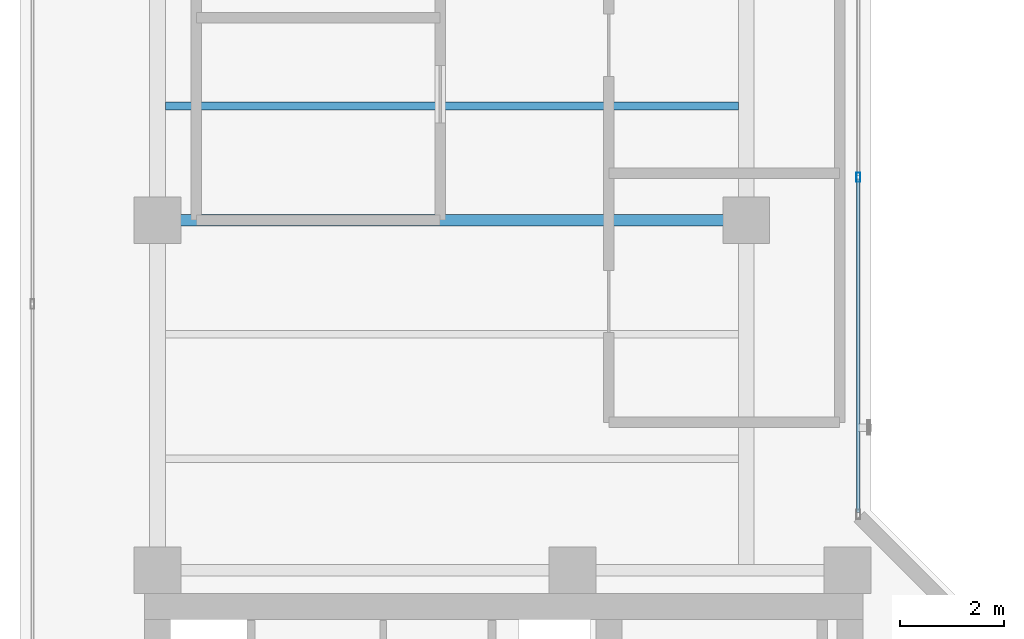
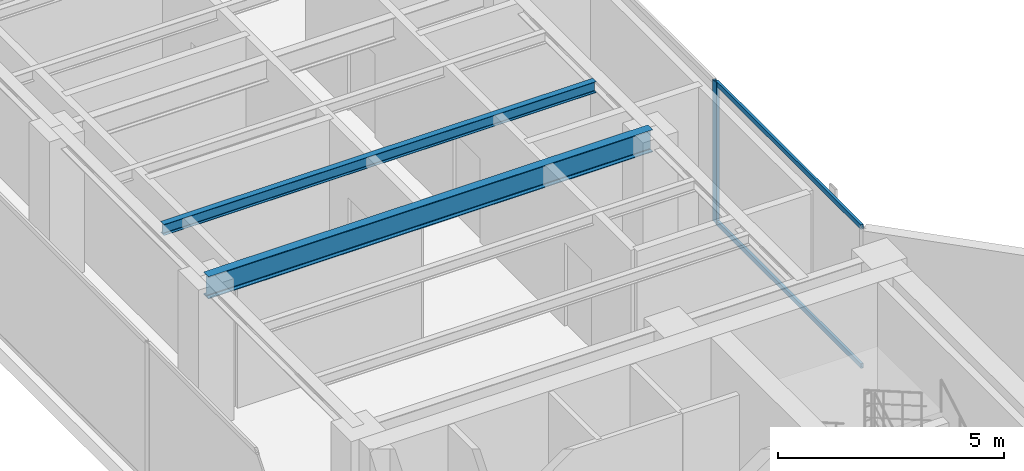
# One storey, part 11 of 24: 3 members, 2 beams, 1 element without a shape of its own.
"""IFC4 building model written with IfcOpenShell, lengths in metres."""

from ifc_helpers import new_model, si_unit, direction, frame, origin, origin_with_axes, origin_2d, place, context, subcontext, project, spatial, hollow_rectangle, i_section, extrude, source, transform, mapped, material, layer, layer_set, material_profile, profile_set, type_object, element, aggregate, save


model = new_model("IFC4")

# Units and contexts
model_context = context("Model", 3, precision=1e-05, world=origin(), true_north=direction((0.0, 1.0)))
body_context = subcontext(model_context, "Body", "Model", "MODEL_VIEW")
ifc_project = project(units=[si_unit("LENGTHUNIT", "METRE"), si_unit("AREAUNIT", "SQUARE_METRE"), si_unit("VOLUMEUNIT", "CUBIC_METRE"), si_unit("PLANEANGLEUNIT", "RADIAN"), si_unit("MASSUNIT", "GRAM", prefix="KILO")], contexts=[model_context])

# Site, building, storey
site_placement = place(None, origin())
site = spatial("IfcSite", under=ifc_project, at=site_placement, CompositionType="ELEMENT")
building_placement = place(site_placement, origin())
building = spatial("IfcBuilding", under=site, at=building_placement, Name="Kolvaren Waterfront Exchange", CompositionType="ELEMENT")
storey_placement = place(building_placement, frame((0.0, 0.0, 356.199951171875)))
storey = spatial("IfcBuildingStorey", under=building, at=storey_placement, Name="L91", CompositionType="ELEMENT", Elevation=356.199951171875)

# Beams
ifc_material_1 = material(Name="Steel S355", Category="steel")
ifc_material_profile_1 = material_profile(ifc_material_1, i_section(OverallWidth=0.14990234375, OverallDepth=0.300048828125, WebThickness=0.007080078125, FlangeThickness=0.0107421875, FilletRadius=0.014892578125, at=origin_2d()), Name="IPE300")
ifc_profile_set_1 = profile_set([ifc_material_profile_1], Name="Steel S355")
beam_type_1 = type_object("IfcBeamType", Name="STR-BM-IPE300", PredefinedType="JOIST", material=ifc_profile_set_1)
beam_1_placement = place(storey_placement, frame((7.60205078125, 33.39990234375, 3.670166015625), z_axis=(1.0, 0.0, 0.0), x_axis=(0.0, 1.0, 0.0)))
element("IfcBeam", 1, at=beam_1_placement, inside=storey, type_object=beam_type_1, Name="L91 north-arm composite joist 3", PredefinedType="JOIST", context=body_context, shape_type="SweptSolid", body=[
    extrude(i_section(OverallWidth=0.14990234375, OverallDepth=0.300048828125, WebThickness=0.007080078125, FlangeThickness=0.0107421875, FilletRadius=0.014892578125, at=origin_2d()), origin(), (0.0, 0.0, 1.0), 11.0458984375),
])
ifc_material_profile_2 = material_profile(ifc_material_1, i_section(OverallWidth=0.219970703125, OverallDepth=0.60009765625, WebThickness=0.011962890625, FlangeThickness=0.01904296875, FilletRadius=0.02392578125, at=origin_2d()), Name="IPE600")
ifc_profile_set_2 = profile_set([ifc_material_profile_2], Name="Steel S355")
beam_type_2 = type_object("IfcBeamType", Name="STR-BM-IPE600", PredefinedType="BEAM", material=ifc_profile_set_2)
beam_2_placement = place(storey_placement, frame((7.449951171875, 31.199951171875, 3.52001953125), z_axis=(1.0, 0.0, 0.0), x_axis=(0.0, 1.0, 0.0)))
element("IfcBeam", 2, at=beam_2_placement, inside=storey, type_object=beam_type_2, Name="L91 north-arm girder 2", PredefinedType="BEAM", context=body_context, shape_type="SweptSolid", body=[
    extrude(i_section(OverallWidth=0.219970703125, OverallDepth=0.60009765625, WebThickness=0.011962890625, FlangeThickness=0.01904296875, FilletRadius=0.02392578125, at=origin_2d()), origin(), (0.0, 0.0, 1.0), 11.35009765625),
])

# Curtain wall, members
ifc_material_2 = material(Name="Anodised dark bronze spandrel aluminium", Category="aluminium")
ifc_layer = layer(ifc_material_2, 0.219970703125, Name="Anodised dark bronze spandrel aluminium")
ifc_layer_set = layer_set([ifc_layer], Name="Anodised dark bronze spandrel aluminium")
curtain_wall_type = type_object("IfcCurtainWallType", Name="ARC-CW-SYS6", PredefinedType="USERDEFINED", material=ifc_layer_set)
curtain_wall_placement = place(storey_placement, origin())
curtain_wall = element("IfcCurtainWall", 3, at=curtain_wall_placement, inside=storey, type_object=curtain_wall_type, Name="L91 stick curtain wall CW6 (CW-L91-NE)", ObjectType="STICK CURTAIN WALL", PredefinedType="USERDEFINED")
ifc_material_3 = material(Name="Anodised bronze aluminium 6063-T6", Category="aluminium")
ifc_material_profile_3 = material_profile(ifc_material_3, hollow_rectangle(XDim=0.074951171875, YDim=0.179931640625, WallThickness=0.00439453125, at=origin_2d()), Name="ALU-MUL-180x75x4.5")
ifc_profile_set_3 = profile_set([ifc_material_profile_3], Name="Anodised bronze aluminium 6063-T6")
member_type_1 = type_object("IfcMemberType", Name="ARC-CWM-180", PredefinedType="MULLION", material=ifc_profile_set_3)
shared_shape_1 = source(origin_with_axes(), body_context, "Body", "SweptSolid", [
    extrude(hollow_rectangle(XDim=0.074951171875, YDim=0.179931640625, WallThickness=0.00439453125, at=origin_2d()), origin(), (0.0, 0.0, 1.0), 3.820068359375),
])
member_1_placement = place(storey_placement, frame((20.9599609375, 32.026611328125, 0.0), z_axis=(0.0, 0.0, 1.0), x_axis=(-1.0, 0.0, 0.0)))
member_1 = element("IfcMember", 4, at=member_1_placement, type_object=member_type_1, Name="CW6 mullion 2", PredefinedType="MULLION", context=body_context, shape_type="MappedRepresentation", body=[
    mapped(shared_shape_1, transform((0.0, 0.0, 0.0), x_axis=(1.0, 0.0, 0.0), y_axis=(0.0, 1.0, 0.0), z_axis=(0.0, 0.0, 1.0), scale=1.0)),
])
ifc_material_profile_4 = material_profile(ifc_material_3, hollow_rectangle(XDim=0.06494140625, YDim=0.1298828125, WallThickness=0.00390625, at=origin_2d()), Name="ALU-TRN-130x65x4")
ifc_profile_set_4 = profile_set([ifc_material_profile_4], Name="Anodised bronze aluminium 6063-T6")
member_type_2 = type_object("IfcMemberType", Name="ARC-CWT-130", PredefinedType="USERDEFINED", material=ifc_profile_set_4)
shared_shape_2 = source(origin_with_axes(), body_context, "Body", "SweptSolid", [
    extrude(hollow_rectangle(XDim=0.06494140625, YDim=0.1298828125, WallThickness=0.00390625, at=origin_2d()), origin(), (0.0, 0.0, 1.0), 6.42431640625),
])
member_2_placement = place(storey_placement, frame((20.9599609375, 25.56494140625, 0.032470703125), z_axis=(0.0, 1.0, 0.0), x_axis=(-1.0, 0.0, 0.0)))
member_2 = element("IfcMember", 5, at=member_2_placement, type_object=member_type_2, Name="CW6 transom 1.1", ObjectType="TRANSOM", PredefinedType="USERDEFINED", context=body_context, shape_type="MappedRepresentation", body=[
    mapped(shared_shape_2, transform((0.0, 0.0, 0.0), x_axis=(1.0, 0.0, 0.0), y_axis=(0.0, 1.0, 0.0), z_axis=(0.0, 0.0, 1.0), scale=1.0)),
])
member_3_placement = place(storey_placement, frame((20.9599609375, 25.56494140625, 3.78759765625), z_axis=(0.0, 1.0, 0.0), x_axis=(-1.0, 0.0, 0.0)))
member_3 = element("IfcMember", 6, at=member_3_placement, type_object=member_type_2, Name="CW6 transom 1.2", ObjectType="TRANSOM", PredefinedType="USERDEFINED", context=body_context, shape_type="MappedRepresentation", body=[
    mapped(shared_shape_2, transform((0.0, 0.0, 0.0), x_axis=(1.0, 0.0, 0.0), y_axis=(0.0, 1.0, 0.0), z_axis=(0.0, 0.0, 1.0), scale=1.0)),
])
aggregate(curtain_wall, [member_1, member_2, member_3])

save(model, "model.ifc")
